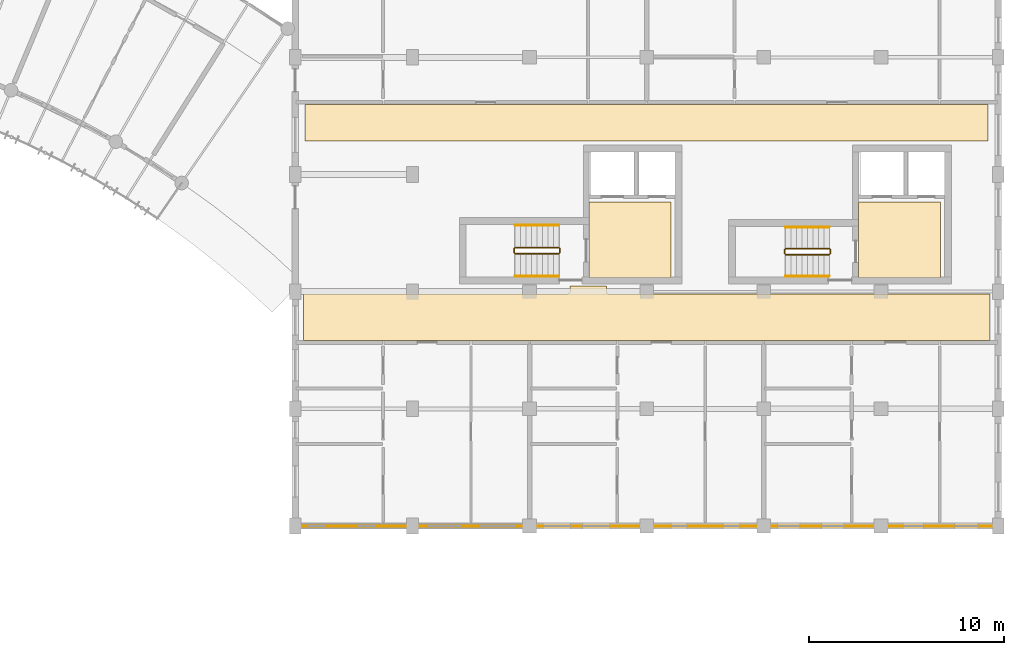
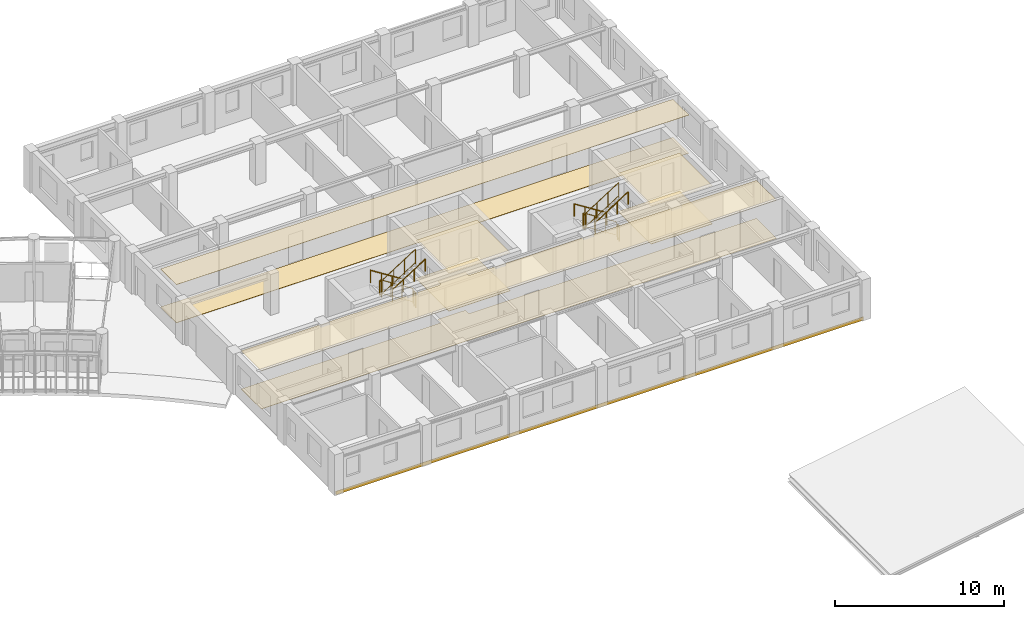
# One storey, part 136 of 137: 12 railings, 9 coverings.
"""IFC4 building model written with IfcOpenShell, lengths in metres."""

from ifc_helpers import new_model, si_unit, direction, frame, origin, origin_2d, place, context, subcontext, project, spatial, polyline, circle, outline, extrude, material, layer, layer_set, type_object, element, save


model = new_model("IFC4")

# Units and contexts
model_context = context("Model", 3, precision=1e-05, world=origin(), true_north=direction((0.0, 1.0)))
body_context = subcontext(model_context, "Body", "Model", "MODEL_VIEW")
ifc_project = project(units=[si_unit("LENGTHUNIT", "METRE"), si_unit("AREAUNIT", "SQUARE_METRE"), si_unit("VOLUMEUNIT", "CUBIC_METRE"), si_unit("PLANEANGLEUNIT", "RADIAN"), si_unit("MASSUNIT", "GRAM", prefix="KILO"), si_unit("POWERUNIT", "WATT"), si_unit("THERMODYNAMICTEMPERATUREUNIT", "KELVIN")], contexts=[model_context])

# Site, building, storey
site_placement = place(None, origin())
site = spatial("IfcSite", under=ifc_project, at=site_placement, CompositionType="ELEMENT")
building_placement = place(site_placement, origin())
building = spatial("IfcBuilding", under=site, at=building_placement, Name="Ruvembo Vaulted Housing Court", CompositionType="ELEMENT")
storey_placement = place(building_placement, frame((0.0, 0.0, 4.5)))
storey = spatial("IfcBuildingStorey", under=building, at=storey_placement, Name="L01", CompositionType="ELEMENT", Elevation=4.5)

# Coverings
ifc_material_1 = material(Name="Perforated Mineral-Fibre Acoustic Tile", Category="gypsum")
ifc_layer_1 = layer(ifc_material_1, 0.02001953125, Name="Perforated Mineral-Fibre Acoustic Tile")
ifc_layer_set_1 = layer_set([ifc_layer_1], Name="Perforated Mineral-Fibre Acoustic Tile")
covering_type_1 = type_object("IfcCoveringType", Name="COV-CEIL-ACOUST", PredefinedType="CEILING", material=ifc_layer_set_1)
covering_1_placement = place(storey_placement, frame((0.0, 0.0, 2.75)))
element("IfcCovering", 1, at=covering_1_placement, inside=storey, type_object=covering_type_1, Name="Protected Core Lobby D1 Ceiling", PredefinedType="CEILING", context=body_context, shape_type="SweptSolid", body=[
    extrude(outline(polyline([(165.050048828125, 88.60009765625), (165.050048828125, 84.699951171875), (169.25, 84.699951171875), (169.25, 88.60009765625), (165.050048828125, 88.60009765625)])), origin(), (0.0, 0.0, 1.0), 0.02001953125),
])
covering_2_placement = place(storey_placement, frame((0.0, 0.0, 2.75)))
element("IfcCovering", 2, at=covering_2_placement, inside=storey, type_object=covering_type_1, Name="Protected Core Lobby D2 Ceiling", PredefinedType="CEILING", context=body_context, shape_type="SweptSolid", body=[
    extrude(outline(polyline([(178.85009765625, 88.60009765625), (178.85009765625, 84.699951171875), (183.050048828125, 84.699951171875), (183.050048828125, 88.60009765625), (178.85009765625, 88.60009765625)])), origin(), (0.0, 0.0, 1.0), 0.02001953125),
])
covering_3_placement = place(storey_placement, frame((0.0, 0.0, 2.75)))
element("IfcCovering", 3, at=covering_3_placement, inside=storey, type_object=covering_type_1, Name="Block D L01 Corridor Ceiling", PredefinedType="CEILING", context=body_context, shape_type="SweptSolid", body=[
    extrude(outline(polyline([(163.949951171875, 83.889892578125), (150.409912109375, 83.889892578125), (150.409912109375, 81.510009765625), (185.590087890625, 81.510009765625), (185.590087890625, 83.889892578125), (166.050048828125, 83.889892578125), (166.039306640625, 83.890380859375), (166.028564453125, 83.89208984375), (166.01806640625, 83.894775390625), (166.0078125, 83.8984375), (165.998046875, 83.903076171875), (165.989013671875, 83.908447265625), (165.980224609375, 83.9150390625), (165.97216796875, 83.922119140625), (165.965087890625, 83.93017578125), (165.95849609375, 83.93896484375), (165.952880859375, 83.947998046875), (165.948486328125, 83.9580078125), (165.944580078125, 83.968017578125), (165.942138671875, 83.978515625), (165.9404296875, 83.9892578125), (165.93994140625, 84.0), (165.93994140625, 84.2900390625), (164.06005859375, 84.2900390625), (164.06005859375, 84.0), (164.0595703125, 83.9892578125), (164.057861328125, 83.978515625), (164.055419921875, 83.968017578125), (164.051513671875, 83.9580078125), (164.047119140625, 83.947998046875), (164.04150390625, 83.93896484375), (164.034912109375, 83.93017578125), (164.02783203125, 83.922119140625), (164.019775390625, 83.9150390625), (164.010986328125, 83.908447265625), (164.001953125, 83.903076171875), (163.9921875, 83.8984375), (163.98193359375, 83.894775390625), (163.971435546875, 83.89208984375), (163.960693359375, 83.890380859375), (163.949951171875, 83.889892578125)])), origin(), (0.0, 0.0, 1.0), 0.02001953125),
])
covering_4_placement = place(storey_placement, frame((0.0, 0.0, 2.75)))
element("IfcCovering", 4, at=covering_4_placement, inside=storey, type_object=covering_type_1, Name="Block D L01 North Sub-Corridor Ceiling", PredefinedType="CEILING", context=body_context, shape_type="SweptSolid", body=[
    extrude(outline(polyline([(185.489990234375, 91.7099609375), (185.489990234375, 93.590087890625), (150.510009765625, 93.590087890625), (150.510009765625, 91.7099609375), (185.489990234375, 91.7099609375)])), origin(), (0.0, 0.0, 1.0), 0.02001953125),
])
ifc_material_2 = material(Name="Lime-Cement Mineral Render", Category="plaster")
ifc_layer_2 = layer(ifc_material_2, 0.02490234375, Name="Lime-Cement Mineral Render")
ifc_layer_set_2 = layer_set([ifc_layer_2], Name="Lime-Cement Mineral Render")
covering_type_2 = type_object("IfcCoveringType", Name="COV-CLAD-RENDER", PredefinedType="CLADDING", material=ifc_layer_set_2)
covering_5_placement = place(storey_placement, frame((0.0, 0.0, -0.25)))
element("IfcCovering", 5, at=covering_5_placement, inside=storey, type_object=covering_type_2, Name="Block D L01 Mineral Render Fascia Band", PredefinedType="CLADDING", context=body_context, shape_type="SweptSolid", body=[
    extrude(outline(polyline([(150.0, 71.969970703125), (186.0, 71.969970703125), (186.0, 72.0), (150.0, 72.0), (150.0, 71.969970703125)])), origin(), (0.0, 0.0, 1.0), 0.25),
])
ifc_material_3 = material(Name="Polished Cement-Aggregate Terrazzo", Category="stone")
ifc_layer_3 = layer(ifc_material_3, 0.02197265625, Name="Polished Cement-Aggregate Terrazzo")
ifc_layer_set_3 = layer_set([ifc_layer_3], Name="Polished Cement-Aggregate Terrazzo")
covering_type_3 = type_object("IfcCoveringType", Name="COV-FLR-CERAMIC", PredefinedType="FLOORING", material=ifc_layer_set_3)
covering_6_placement = place(storey_placement, origin())
element("IfcCovering", 6, at=covering_6_placement, inside=storey, type_object=covering_type_3, Name="Protected Core Lobby D1 Flooring", PredefinedType="FLOORING", context=body_context, shape_type="SweptSolid", body=[
    extrude(outline(polyline([(165.050048828125, 88.60009765625), (165.050048828125, 84.699951171875), (169.25, 84.699951171875), (169.25, 88.60009765625), (165.050048828125, 88.60009765625)])), origin(), (0.0, 0.0, 1.0), 0.02197265625),
])
covering_7_placement = place(storey_placement, origin())
element("IfcCovering", 7, at=covering_7_placement, inside=storey, type_object=covering_type_3, Name="Protected Core Lobby D2 Flooring", PredefinedType="FLOORING", context=body_context, shape_type="SweptSolid", body=[
    extrude(outline(polyline([(178.85009765625, 88.60009765625), (178.85009765625, 84.699951171875), (183.050048828125, 84.699951171875), (183.050048828125, 88.60009765625), (178.85009765625, 88.60009765625)])), origin(), (0.0, 0.0, 1.0), 0.02197265625),
])
covering_8_placement = place(storey_placement, origin())
element("IfcCovering", 8, at=covering_8_placement, inside=storey, type_object=covering_type_3, Name="Block D L01 Corridor Flooring", PredefinedType="FLOORING", context=body_context, shape_type="SweptSolid", body=[
    extrude(outline(polyline([(163.949951171875, 83.889892578125), (150.409912109375, 83.889892578125), (150.409912109375, 81.510009765625), (185.590087890625, 81.510009765625), (185.590087890625, 83.889892578125), (166.050048828125, 83.889892578125), (166.039306640625, 83.890380859375), (166.028564453125, 83.89208984375), (166.01806640625, 83.894775390625), (166.0078125, 83.8984375), (165.998046875, 83.903076171875), (165.989013671875, 83.908447265625), (165.980224609375, 83.9150390625), (165.97216796875, 83.922119140625), (165.965087890625, 83.93017578125), (165.95849609375, 83.93896484375), (165.952880859375, 83.947998046875), (165.948486328125, 83.9580078125), (165.944580078125, 83.968017578125), (165.942138671875, 83.978515625), (165.9404296875, 83.9892578125), (165.93994140625, 84.0), (165.93994140625, 84.2900390625), (164.06005859375, 84.2900390625), (164.06005859375, 84.0), (164.0595703125, 83.9892578125), (164.057861328125, 83.978515625), (164.055419921875, 83.968017578125), (164.051513671875, 83.9580078125), (164.047119140625, 83.947998046875), (164.04150390625, 83.93896484375), (164.034912109375, 83.93017578125), (164.02783203125, 83.922119140625), (164.019775390625, 83.9150390625), (164.010986328125, 83.908447265625), (164.001953125, 83.903076171875), (163.9921875, 83.8984375), (163.98193359375, 83.894775390625), (163.971435546875, 83.89208984375), (163.960693359375, 83.890380859375), (163.949951171875, 83.889892578125)])), origin(), (0.0, 0.0, 1.0), 0.02197265625),
])
covering_9_placement = place(storey_placement, origin())
element("IfcCovering", 9, at=covering_9_placement, inside=storey, type_object=covering_type_3, Name="Block D L01 North Sub-Corridor Flooring", PredefinedType="FLOORING", context=body_context, shape_type="SweptSolid", body=[
    extrude(outline(polyline([(185.489990234375, 91.7099609375), (185.489990234375, 93.590087890625), (150.510009765625, 93.590087890625), (150.510009765625, 91.7099609375), (185.489990234375, 91.7099609375)])), origin(), (0.0, 0.0, 1.0), 0.02197265625),
])

# Railings
ifc_material_4 = material(Name="Painted Galvanised Steel S275", Category="steel")
ifc_layer_4 = layer(ifc_material_4, 0.06005859375, Name="Painted Galvanised Steel S275")
ifc_layer_set_4 = layer_set([ifc_layer_4], Name="Painted Galvanised Steel S275")
railing_type_1 = type_object("IfcRailingType", Name="RL-STAIR-GR1100", PredefinedType="GUARDRAIL", material=ifc_layer_set_4)
railing_1_placement = place(storey_placement, frame((163.5, 86.25, 0.177734375)))
element("IfcRailing", 10, at=railing_1_placement, inside=storey, type_object=railing_type_1, Name="L01 ST-D1 stair guard 1", PredefinedType="GUARDRAIL", context=body_context, shape_type="SweptSolid", body=[
    extrude(circle(Radius=0.02392578125, at=origin_2d()), frame((0.0, 0.0, 1.076171875), z_axis=(-0.84418770128, 0.0, 0.536047689118), x_axis=(0.0, -1.0, 0.0)), (0.0, 0.0, 1.0), 2.6533203125),
    extrude(circle(Radius=0.01806640625, at=origin_2d()), frame((0.0, 0.0, 0.1201171875), z_axis=(-0.84418770128, 0.0, 0.536047689118), x_axis=(0.0, -1.0, 0.0)), (0.0, 0.0, 1.0), 2.6533203125),
    extrude(circle(Radius=0.02099609375, at=origin_2d()), origin(), (0.0, 0.0, 1.0), 1.052001953125),
    extrude(circle(Radius=0.02099609375, at=origin_2d()), frame((-0.74658203125, 0.0, 0.47412109375)), (0.0, 0.0, 1.0), 1.052001953125),
    extrude(circle(Radius=0.02099609375, at=origin_2d()), frame((-1.493408203125, 0.0, 0.9482421875)), (0.0, 0.0, 1.0), 1.052001953125),
    extrude(circle(Radius=0.02099609375, at=origin_2d()), frame((-2.239990234375, 0.0, 1.42236328125)), (0.0, 0.0, 1.0), 1.052001953125),
])
railing_2_placement = place(storey_placement, frame((161.2099609375, 86.199951171875, 1.60009765625)))
element("IfcRailing", 11, at=railing_2_placement, inside=storey, type_object=railing_type_1, Name="L01 ST-D1 stair guard 2", PredefinedType="GUARDRAIL", context=body_context, shape_type="SweptSolid", body=[
    extrude(circle(Radius=0.02392578125, at=origin_2d()), frame((0.0, 0.0, 1.076171875), z_axis=(0.0, -1.0, 0.0), x_axis=(1.0, 0.0, 0.0)), (0.0, 0.0, 1.0), 0.199951171875),
    extrude(circle(Radius=0.01806640625, at=origin_2d()), frame((0.0, 0.0, 0.1201171875), z_axis=(0.0, -1.0, 0.0), x_axis=(1.0, 0.0, 0.0)), (0.0, 0.0, 1.0), 0.199951171875),
    extrude(circle(Radius=0.02099609375, at=origin_2d()), origin(), (0.0, 0.0, 1.0), 1.052001953125),
    extrude(circle(Radius=0.02099609375, at=origin_2d()), frame((0.0, -0.199951171875, 0.0)), (0.0, 0.0, 1.0), 1.052001953125),
])
railing_3_placement = place(storey_placement, frame((161.260009765625, 85.949951171875, 1.77783203125)))
element("IfcRailing", 12, at=railing_3_placement, inside=storey, type_object=railing_type_1, Name="L01 ST-D1 stair guard 3", PredefinedType="GUARDRAIL", context=body_context, shape_type="SweptSolid", body=[
    extrude(circle(Radius=0.02392578125, at=origin_2d()), frame((0.0, 0.0, 1.076171875), z_axis=(0.8442293374, 0.0, 0.53598211339), x_axis=(0.0, 1.0, 0.0)), (0.0, 0.0, 1.0), 2.6533203125),
    extrude(circle(Radius=0.01806640625, at=origin_2d()), frame((0.0, 0.0, 0.1201171875), z_axis=(0.8442293374, 0.0, 0.53598211339), x_axis=(0.0, 1.0, 0.0)), (0.0, 0.0, 1.0), 2.6533203125),
    extrude(circle(Radius=0.02099609375, at=origin_2d()), origin(), (0.0, 0.0, 1.0), 1.052001953125),
    extrude(circle(Radius=0.02099609375, at=origin_2d()), frame((0.74658203125, 0.0, 0.47412109375)), (0.0, 0.0, 1.0), 1.052001953125),
    extrude(circle(Radius=0.02099609375, at=origin_2d()), frame((1.493408203125, 0.0, 0.947998046875)), (0.0, 0.0, 1.0), 1.052001953125),
    extrude(circle(Radius=0.02099609375, at=origin_2d()), frame((2.239990234375, 0.0, 1.422119140625)), (0.0, 0.0, 1.0), 1.052001953125),
])
railing_4_placement = place(storey_placement, frame((163.550048828125, 86.199951171875, 0.0)))
element("IfcRailing", 13, at=railing_4_placement, inside=storey, type_object=railing_type_1, Name="L01 ST-D1 stair guard 4", PredefinedType="GUARDRAIL", context=body_context, shape_type="SweptSolid", body=[
    extrude(circle(Radius=0.02392578125, at=origin_2d()), frame((0.0, 0.0, 1.076171875), z_axis=(0.0, -1.0, 0.0), x_axis=(1.0, 0.0, 0.0)), (0.0, 0.0, 1.0), 0.199951171875),
    extrude(circle(Radius=0.01806640625, at=origin_2d()), frame((0.0, 0.0, 0.1201171875), z_axis=(0.0, -1.0, 0.0), x_axis=(1.0, 0.0, 0.0)), (0.0, 0.0, 1.0), 0.199951171875),
    extrude(circle(Radius=0.02099609375, at=origin_2d()), origin(), (0.0, 0.0, 1.0), 1.052001953125),
    extrude(circle(Radius=0.02099609375, at=origin_2d()), frame((0.0, -0.199951171875, 0.0)), (0.0, 0.0, 1.0), 1.052001953125),
])
railing_5_placement = place(storey_placement, frame((177.35009765625, 86.199951171875, 0.177734375)))
element("IfcRailing", 14, at=railing_5_placement, inside=storey, type_object=railing_type_1, Name="L01 ST-D2 stair guard 1", PredefinedType="GUARDRAIL", context=body_context, shape_type="SweptSolid", body=[
    extrude(circle(Radius=0.02392578125, at=origin_2d()), frame((0.0, 0.0, 1.076171875), z_axis=(-0.84418770128, 0.0, 0.536047689118), x_axis=(0.0, -1.0, 0.0)), (0.0, 0.0, 1.0), 2.6533203125),
    extrude(circle(Radius=0.01806640625, at=origin_2d()), frame((0.0, 0.0, 0.1201171875), z_axis=(-0.84418770128, 0.0, 0.536047689118), x_axis=(0.0, -1.0, 0.0)), (0.0, 0.0, 1.0), 2.6533203125),
    extrude(circle(Radius=0.02099609375, at=origin_2d()), origin(), (0.0, 0.0, 1.0), 1.052001953125),
    extrude(circle(Radius=0.02099609375, at=origin_2d()), frame((-0.74658203125, 0.0, 0.47412109375)), (0.0, 0.0, 1.0), 1.052001953125),
    extrude(circle(Radius=0.02099609375, at=origin_2d()), frame((-1.493408203125, 0.0, 0.9482421875)), (0.0, 0.0, 1.0), 1.052001953125),
    extrude(circle(Radius=0.02099609375, at=origin_2d()), frame((-2.239990234375, 0.0, 1.42236328125)), (0.0, 0.0, 1.0), 1.052001953125),
])
railing_6_placement = place(storey_placement, frame((175.06005859375, 86.14990234375, 1.60009765625)))
element("IfcRailing", 15, at=railing_6_placement, inside=storey, type_object=railing_type_1, Name="L01 ST-D2 stair guard 2", PredefinedType="GUARDRAIL", context=body_context, shape_type="SweptSolid", body=[
    extrude(circle(Radius=0.02392578125, at=origin_2d()), frame((0.0, 0.0, 1.076171875), z_axis=(0.0, -1.0, 0.0), x_axis=(1.0, 0.0, 0.0)), (0.0, 0.0, 1.0), 0.199951171875),
    extrude(circle(Radius=0.01806640625, at=origin_2d()), frame((0.0, 0.0, 0.1201171875), z_axis=(0.0, -1.0, 0.0), x_axis=(1.0, 0.0, 0.0)), (0.0, 0.0, 1.0), 0.199951171875),
    extrude(circle(Radius=0.02099609375, at=origin_2d()), origin(), (0.0, 0.0, 1.0), 1.052001953125),
    extrude(circle(Radius=0.02099609375, at=origin_2d()), frame((0.0, -0.199951171875, 0.0)), (0.0, 0.0, 1.0), 1.052001953125),
])
railing_7_placement = place(storey_placement, frame((175.110107421875, 85.89990234375, 1.77783203125)))
element("IfcRailing", 16, at=railing_7_placement, inside=storey, type_object=railing_type_1, Name="L01 ST-D2 stair guard 3", PredefinedType="GUARDRAIL", context=body_context, shape_type="SweptSolid", body=[
    extrude(circle(Radius=0.02392578125, at=origin_2d()), frame((0.0, 0.0, 1.076171875), z_axis=(0.8442293374, 0.0, 0.53598211339), x_axis=(0.0, 1.0, 0.0)), (0.0, 0.0, 1.0), 2.6533203125),
    extrude(circle(Radius=0.01806640625, at=origin_2d()), frame((0.0, 0.0, 0.1201171875), z_axis=(0.8442293374, 0.0, 0.53598211339), x_axis=(0.0, 1.0, 0.0)), (0.0, 0.0, 1.0), 2.6533203125),
    extrude(circle(Radius=0.02099609375, at=origin_2d()), origin(), (0.0, 0.0, 1.0), 1.052001953125),
    extrude(circle(Radius=0.02099609375, at=origin_2d()), frame((0.74658203125, 0.0, 0.47412109375)), (0.0, 0.0, 1.0), 1.052001953125),
    extrude(circle(Radius=0.02099609375, at=origin_2d()), frame((1.493408203125, 0.0, 0.947998046875)), (0.0, 0.0, 1.0), 1.052001953125),
    extrude(circle(Radius=0.02099609375, at=origin_2d()), frame((2.239990234375, 0.0, 1.422119140625)), (0.0, 0.0, 1.0), 1.052001953125),
])
railing_8_placement = place(storey_placement, frame((177.39990234375, 86.14990234375, 0.0)))
element("IfcRailing", 17, at=railing_8_placement, inside=storey, type_object=railing_type_1, Name="L01 ST-D2 stair guard 4", PredefinedType="GUARDRAIL", context=body_context, shape_type="SweptSolid", body=[
    extrude(circle(Radius=0.02392578125, at=origin_2d()), frame((0.0, 0.0, 1.076171875), z_axis=(0.0, -1.0, 0.0), x_axis=(1.0, 0.0, 0.0)), (0.0, 0.0, 1.0), 0.199951171875),
    extrude(circle(Radius=0.01806640625, at=origin_2d()), frame((0.0, 0.0, 0.1201171875), z_axis=(0.0, -1.0, 0.0), x_axis=(1.0, 0.0, 0.0)), (0.0, 0.0, 1.0), 0.199951171875),
    extrude(circle(Radius=0.02099609375, at=origin_2d()), origin(), (0.0, 0.0, 1.0), 1.052001953125),
    extrude(circle(Radius=0.02099609375, at=origin_2d()), frame((0.0, -0.199951171875, 0.0)), (0.0, 0.0, 1.0), 1.052001953125),
])
ifc_material_5 = material(Name="Brushed Stainless Steel 304", Category="steel")
ifc_layer_5 = layer(ifc_material_5, 0.050048828125, Name="Brushed Stainless Steel 304")
ifc_layer_set_5 = layer_set([ifc_layer_5], Name="Brushed Stainless Steel 304")
railing_type_2 = type_object("IfcRailingType", Name="RL-STAIR-HR920", PredefinedType="HANDRAIL", material=ifc_layer_set_5)
railing_9_placement = place(storey_placement, frame((163.5, 87.39990234375, 0.359375)))
element("IfcRailing", 18, at=railing_9_placement, inside=storey, type_object=railing_type_2, Name="L01 ST-D1 stair handrail 1", PredefinedType="HANDRAIL", context=body_context, shape_type="SweptSolid", body=[
    extrude(circle(Radius=0.02392578125, at=origin_2d()), frame((0.0, 0.0, 0.8759765625), z_axis=(-0.8442293374, 0.0, 0.53598211339), x_axis=(0.0, -1.0, 0.0)), (0.0, 0.0, 1.0), 2.6533203125),
    extrude(circle(Radius=0.02099609375, at=origin_2d()), origin(), (0.0, 0.0, 1.0), 0.851806640625),
    extrude(circle(Radius=0.02099609375, at=origin_2d()), frame((-0.74658203125, 0.0, 0.47412109375)), (0.0, 0.0, 1.0), 0.851806640625),
    extrude(circle(Radius=0.02099609375, at=origin_2d()), frame((-1.493408203125, 0.0, 0.947998046875)), (0.0, 0.0, 1.0), 0.851806640625),
    extrude(circle(Radius=0.02099609375, at=origin_2d()), frame((-2.239990234375, 0.0, 1.422119140625)), (0.0, 0.0, 1.0), 0.851806640625),
])
railing_10_placement = place(storey_placement, frame((161.260009765625, 84.800048828125, 1.959228515625)))
element("IfcRailing", 19, at=railing_10_placement, inside=storey, type_object=railing_type_2, Name="L01 ST-D1 stair handrail 2", PredefinedType="HANDRAIL", context=body_context, shape_type="SweptSolid", body=[
    extrude(circle(Radius=0.02392578125, at=origin_2d()), frame((0.0, 0.0, 0.8759765625), z_axis=(0.84418770128, 0.0, 0.536047689118), x_axis=(0.0, 1.0, 0.0)), (0.0, 0.0, 1.0), 2.6533203125),
    extrude(circle(Radius=0.02099609375, at=origin_2d()), origin(), (0.0, 0.0, 1.0), 0.851806640625),
    extrude(circle(Radius=0.02099609375, at=origin_2d()), frame((0.74658203125, 0.0, 0.47412109375)), (0.0, 0.0, 1.0), 0.851806640625),
    extrude(circle(Radius=0.02099609375, at=origin_2d()), frame((1.493408203125, 0.0, 0.9482421875)), (0.0, 0.0, 1.0), 0.851806640625),
    extrude(circle(Radius=0.02099609375, at=origin_2d()), frame((2.239990234375, 0.0, 1.42236328125)), (0.0, 0.0, 1.0), 0.851806640625),
])
railing_11_placement = place(storey_placement, frame((177.35009765625, 87.300048828125, 0.359375)))
element("IfcRailing", 20, at=railing_11_placement, inside=storey, type_object=railing_type_2, Name="L01 ST-D2 stair handrail 1", PredefinedType="HANDRAIL", context=body_context, shape_type="SweptSolid", body=[
    extrude(circle(Radius=0.02392578125, at=origin_2d()), frame((0.0, 0.0, 0.8759765625), z_axis=(-0.8442293374, 0.0, 0.53598211339), x_axis=(0.0, -1.0, 0.0)), (0.0, 0.0, 1.0), 2.6533203125),
    extrude(circle(Radius=0.02099609375, at=origin_2d()), origin(), (0.0, 0.0, 1.0), 0.851806640625),
    extrude(circle(Radius=0.02099609375, at=origin_2d()), frame((-0.74658203125, 0.0, 0.47412109375)), (0.0, 0.0, 1.0), 0.851806640625),
    extrude(circle(Radius=0.02099609375, at=origin_2d()), frame((-1.493408203125, 0.0, 0.947998046875)), (0.0, 0.0, 1.0), 0.851806640625),
    extrude(circle(Radius=0.02099609375, at=origin_2d()), frame((-2.239990234375, 0.0, 1.422119140625)), (0.0, 0.0, 1.0), 0.851806640625),
])
railing_12_placement = place(storey_placement, frame((175.110107421875, 84.800048828125, 1.959228515625)))
element("IfcRailing", 21, at=railing_12_placement, inside=storey, type_object=railing_type_2, Name="L01 ST-D2 stair handrail 2", PredefinedType="HANDRAIL", context=body_context, shape_type="SweptSolid", body=[
    extrude(circle(Radius=0.02392578125, at=origin_2d()), frame((0.0, 0.0, 0.8759765625), z_axis=(0.84418770128, 0.0, 0.536047689118), x_axis=(0.0, 1.0, 0.0)), (0.0, 0.0, 1.0), 2.6533203125),
    extrude(circle(Radius=0.02099609375, at=origin_2d()), origin(), (0.0, 0.0, 1.0), 0.851806640625),
    extrude(circle(Radius=0.02099609375, at=origin_2d()), frame((0.74658203125, 0.0, 0.47412109375)), (0.0, 0.0, 1.0), 0.851806640625),
    extrude(circle(Radius=0.02099609375, at=origin_2d()), frame((1.493408203125, 0.0, 0.9482421875)), (0.0, 0.0, 1.0), 0.851806640625),
    extrude(circle(Radius=0.02099609375, at=origin_2d()), frame((2.239990234375, 0.0, 1.42236328125)), (0.0, 0.0, 1.0), 0.851806640625),
])

save(model, "model.ifc")
